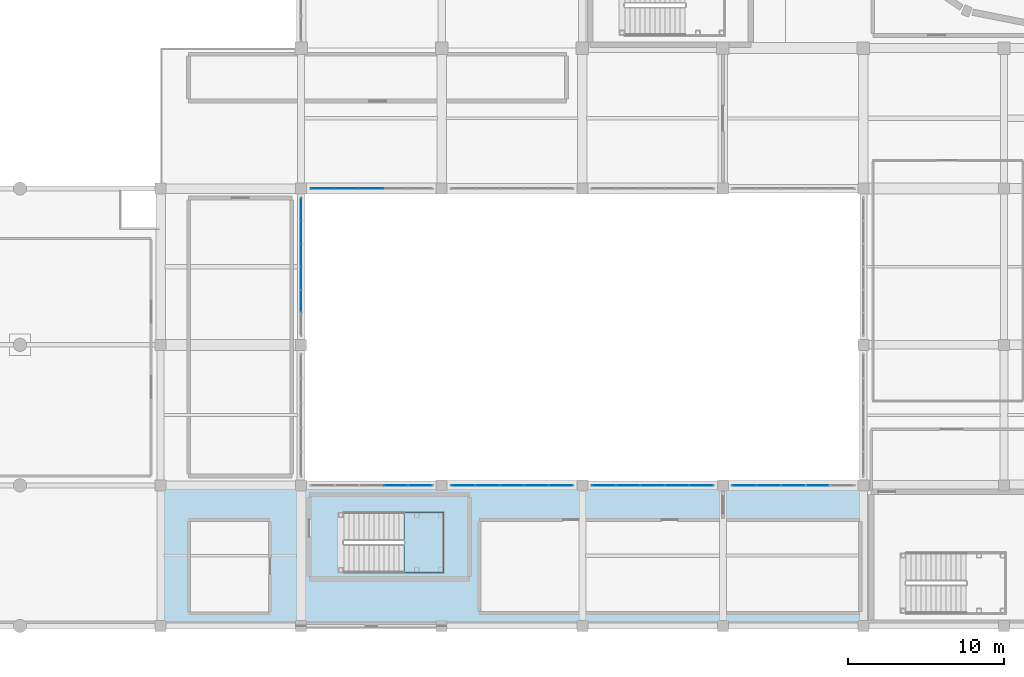
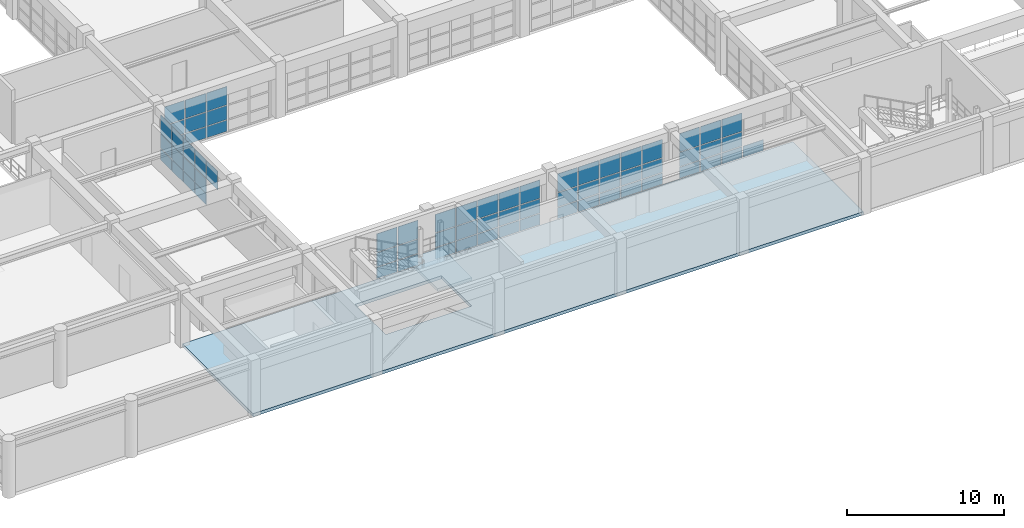
# One storey, part 90 of 133: 68 plates, 2 slabs, 7 elements without a shape of their own.
"""IFC4 building model written with IfcOpenShell, lengths in metres."""

from ifc_helpers import new_model, si_unit, direction, frame, origin, origin_2d, place, context, subcontext, project, spatial, polyline, rectangle, outline, extrude, material, layer, layer_set, type_object, element, aggregate, save


model = new_model("IFC4")

# Units and contexts
model_context = context("Model", 3, precision=1e-05, world=origin(), true_north=direction((0.0, 1.0)))
body_context = subcontext(model_context, "Body", "Model", "MODEL_VIEW")
ifc_project = project(units=[si_unit("LENGTHUNIT", "METRE"), si_unit("AREAUNIT", "SQUARE_METRE"), si_unit("VOLUMEUNIT", "CUBIC_METRE"), si_unit("PLANEANGLEUNIT", "RADIAN"), si_unit("MASSUNIT", "GRAM", prefix="KILO")], contexts=[model_context])

# Site, building, storey
site_placement = place(None, origin())
site = spatial("IfcSite", under=ifc_project, at=site_placement, CompositionType="ELEMENT")
building_placement = place(site_placement, origin())
building = spatial("IfcBuilding", under=site, at=building_placement, Name="Miravela Opera House", CompositionType="ELEMENT")
storey_placement = place(building_placement, frame((0.0, 0.0, 5.10009765625)))
storey = spatial("IfcBuildingStorey", under=building, at=storey_placement, Name="L01", CompositionType="ELEMENT", Elevation=5.10009765625)

# Curtain wall, plates
ifc_material_1 = material(Name="Anodised architectural bronze aluminium 6063-T6", Category="aluminium")
curtain_wall_type = type_object("IfcCurtainWallType", Name="ARC-CW-06", PredefinedType="NOTDEFINED", material=ifc_material_1)
curtain_wall_1_placement = place(storey_placement, origin())
curtain_wall_1 = element("IfcCurtainWall", 1, at=curtain_wall_1_placement, inside=storey, type_object=curtain_wall_type, Name="Courtyard Arcade Curtain Wall CW-L01-124", PredefinedType="NOTDEFINED")
ifc_material_2 = material(Name="Acoustic laminated low-E insulating glass", Category="glass")
ifc_layer_1 = layer(ifc_material_2, 0.028076171875)
ifc_layer_set_1 = layer_set([ifc_layer_1])
plate_type = type_object("IfcPlateType", Name="ARC-CWP-28", PredefinedType="CURTAIN_PANEL", material=ifc_layer_set_1)
plate_1_placement = place(storey_placement, frame((28.37890625, 28.0, 0.06005859375), z_axis=(0.0, 0.0, 1.0), x_axis=(1.0, 0.0, 0.0)))
plate_1 = element("IfcPlate", 2, at=plate_1_placement, type_object=plate_type, Name="CW-06 panel 1.1", PredefinedType="CURTAIN_PANEL", context=body_context, shape_type="SweptSolid", body=[
    extrude(rectangle(XDim=1.47802734375, YDim=0.028076171875, at=origin_2d()), origin(), (0.0, 0.0, 1.0), 0.860107421875),
])
plate_2_placement = place(storey_placement, frame((28.37890625, 28.0, 0.97998046875), z_axis=(0.0, 0.0, 1.0), x_axis=(1.0, 0.0, 0.0)))
plate_2 = element("IfcPlate", 3, at=plate_2_placement, type_object=plate_type, Name="CW-06 panel 1.2", PredefinedType="CURTAIN_PANEL", context=body_context, shape_type="SweptSolid", body=[
    extrude(rectangle(XDim=1.47802734375, YDim=0.028076171875, at=origin_2d()), origin(), (0.0, 0.0, 1.0), 1.083740234375),
])
plate_3_placement = place(storey_placement, frame((28.37890625, 28.0, 2.123779296875), z_axis=(0.0, 0.0, 1.0), x_axis=(1.0, 0.0, 0.0)))
plate_3 = element("IfcPlate", 4, at=plate_3_placement, type_object=plate_type, Name="CW-06 panel 1.3", PredefinedType="CURTAIN_PANEL", context=body_context, shape_type="SweptSolid", body=[
    extrude(rectangle(XDim=1.47802734375, YDim=0.028076171875, at=origin_2d()), origin(), (0.0, 0.0, 1.0), 1.42626953125),
])
plate_4_placement = place(storey_placement, frame((29.931884765625, 28.0, 0.06005859375), z_axis=(0.0, 0.0, 1.0), x_axis=(1.0, 0.0, 0.0)))
plate_4 = element("IfcPlate", 5, at=plate_4_placement, type_object=plate_type, Name="CW-06 panel 2.1", PredefinedType="CURTAIN_PANEL", context=body_context, shape_type="SweptSolid", body=[
    extrude(rectangle(XDim=1.508056640625, YDim=0.028076171875, at=origin_2d()), origin(), (0.0, 0.0, 1.0), 0.860107421875),
])
plate_5_placement = place(storey_placement, frame((29.931884765625, 28.0, 0.97998046875), z_axis=(0.0, 0.0, 1.0), x_axis=(1.0, 0.0, 0.0)))
plate_5 = element("IfcPlate", 6, at=plate_5_placement, type_object=plate_type, Name="CW-06 panel 2.2", PredefinedType="CURTAIN_PANEL", context=body_context, shape_type="SweptSolid", body=[
    extrude(rectangle(XDim=1.508056640625, YDim=0.028076171875, at=origin_2d()), origin(), (0.0, 0.0, 1.0), 1.083740234375),
])
plate_6_placement = place(storey_placement, frame((29.931884765625, 28.0, 2.123779296875), z_axis=(0.0, 0.0, 1.0), x_axis=(1.0, 0.0, 0.0)))
plate_6 = element("IfcPlate", 7, at=plate_6_placement, type_object=plate_type, Name="CW-06 panel 2.3", PredefinedType="CURTAIN_PANEL", context=body_context, shape_type="SweptSolid", body=[
    extrude(rectangle(XDim=1.508056640625, YDim=0.028076171875, at=origin_2d()), origin(), (0.0, 0.0, 1.0), 1.42626953125),
])
plate_7_placement = place(storey_placement, frame((31.5, 28.0, 0.06005859375), z_axis=(0.0, 0.0, 1.0), x_axis=(1.0, 0.0, 0.0)))
plate_7 = element("IfcPlate", 8, at=plate_7_placement, type_object=plate_type, Name="CW-06 panel 3.1", PredefinedType="CURTAIN_PANEL", context=body_context, shape_type="SweptSolid", body=[
    extrude(rectangle(XDim=1.508056640625, YDim=0.028076171875, at=origin_2d()), origin(), (0.0, 0.0, 1.0), 0.860107421875),
])
plate_8_placement = place(storey_placement, frame((31.5, 28.0, 0.97998046875), z_axis=(0.0, 0.0, 1.0), x_axis=(1.0, 0.0, 0.0)))
plate_8 = element("IfcPlate", 9, at=plate_8_placement, type_object=plate_type, Name="CW-06 panel 3.2", PredefinedType="CURTAIN_PANEL", context=body_context, shape_type="SweptSolid", body=[
    extrude(rectangle(XDim=1.508056640625, YDim=0.028076171875, at=origin_2d()), origin(), (0.0, 0.0, 1.0), 1.083740234375),
])
plate_9_placement = place(storey_placement, frame((31.5, 28.0, 2.123779296875), z_axis=(0.0, 0.0, 1.0), x_axis=(1.0, 0.0, 0.0)))
plate_9 = element("IfcPlate", 10, at=plate_9_placement, type_object=plate_type, Name="CW-06 panel 3.3", PredefinedType="CURTAIN_PANEL", context=body_context, shape_type="SweptSolid", body=[
    extrude(rectangle(XDim=1.508056640625, YDim=0.028076171875, at=origin_2d()), origin(), (0.0, 0.0, 1.0), 1.42626953125),
])
aggregate(curtain_wall_1, [plate_1, plate_2, plate_3, plate_4, plate_5, plate_6, plate_7, plate_8, plate_9])

curtain_wall_2_placement = place(storey_placement, origin())
curtain_wall_2 = element("IfcCurtainWall", 11, at=curtain_wall_2_placement, inside=storey, type_object=curtain_wall_type, Name="Courtyard Arcade Curtain Wall CW-L01-125", PredefinedType="NOTDEFINED")
plate_10_placement = place(storey_placement, frame((33.068115234375, 9.0, 0.06005859375), z_axis=(0.0, 0.0, 1.0), x_axis=(1.0, 0.0, 0.0)))
plate_10 = element("IfcPlate", 12, at=plate_10_placement, type_object=plate_type, Name="CW-06 panel 4.1", PredefinedType="CURTAIN_PANEL", context=body_context, shape_type="SweptSolid", body=[
    extrude(rectangle(XDim=1.508056640625, YDim=0.028076171875, at=origin_2d()), origin(), (0.0, 0.0, 1.0), 0.860107421875),
])
plate_11_placement = place(storey_placement, frame((33.068115234375, 9.0, 0.97998046875), z_axis=(0.0, 0.0, 1.0), x_axis=(1.0, 0.0, 0.0)))
plate_11 = element("IfcPlate", 13, at=plate_11_placement, type_object=plate_type, Name="CW-06 panel 4.2", PredefinedType="CURTAIN_PANEL", context=body_context, shape_type="SweptSolid", body=[
    extrude(rectangle(XDim=1.508056640625, YDim=0.028076171875, at=origin_2d()), origin(), (0.0, 0.0, 1.0), 1.083740234375),
])
plate_12_placement = place(storey_placement, frame((33.068115234375, 9.0, 2.123779296875), z_axis=(0.0, 0.0, 1.0), x_axis=(1.0, 0.0, 0.0)))
plate_12 = element("IfcPlate", 14, at=plate_12_placement, type_object=plate_type, Name="CW-06 panel 4.3", PredefinedType="CURTAIN_PANEL", context=body_context, shape_type="SweptSolid", body=[
    extrude(rectangle(XDim=1.508056640625, YDim=0.028076171875, at=origin_2d()), origin(), (0.0, 0.0, 1.0), 1.42626953125),
])
plate_13_placement = place(storey_placement, frame((34.62109375, 9.0, 0.06005859375), z_axis=(0.0, 0.0, 1.0), x_axis=(1.0, 0.0, 0.0)))
plate_13 = element("IfcPlate", 15, at=plate_13_placement, type_object=plate_type, Name="CW-06 panel 5.1", PredefinedType="CURTAIN_PANEL", context=body_context, shape_type="SweptSolid", body=[
    extrude(rectangle(XDim=1.47802734375, YDim=0.028076171875, at=origin_2d()), origin(), (0.0, 0.0, 1.0), 0.860107421875),
])
plate_14_placement = place(storey_placement, frame((34.62109375, 9.0, 0.97998046875), z_axis=(0.0, 0.0, 1.0), x_axis=(1.0, 0.0, 0.0)))
plate_14 = element("IfcPlate", 16, at=plate_14_placement, type_object=plate_type, Name="CW-06 panel 5.2", PredefinedType="CURTAIN_PANEL", context=body_context, shape_type="SweptSolid", body=[
    extrude(rectangle(XDim=1.47802734375, YDim=0.028076171875, at=origin_2d()), origin(), (0.0, 0.0, 1.0), 1.083740234375),
])
plate_15_placement = place(storey_placement, frame((34.62109375, 9.0, 2.123779296875), z_axis=(0.0, 0.0, 1.0), x_axis=(1.0, 0.0, 0.0)))
plate_15 = element("IfcPlate", 17, at=plate_15_placement, type_object=plate_type, Name="CW-06 panel 5.3", PredefinedType="CURTAIN_PANEL", context=body_context, shape_type="SweptSolid", body=[
    extrude(rectangle(XDim=1.47802734375, YDim=0.028076171875, at=origin_2d()), origin(), (0.0, 0.0, 1.0), 1.42626953125),
])
aggregate(curtain_wall_2, [plate_10, plate_11, plate_12, plate_13, plate_14, plate_15])

curtain_wall_3_placement = place(storey_placement, origin())
curtain_wall_3 = element("IfcCurtainWall", 18, at=curtain_wall_3_placement, inside=storey, type_object=curtain_wall_type, Name="Courtyard Arcade Curtain Wall CW-L01-127", PredefinedType="NOTDEFINED")
plate_16_placement = place(storey_placement, frame((37.37890625, 9.0, 0.06005859375), z_axis=(0.0, 0.0, 1.0), x_axis=(1.0, 0.0, 0.0)))
plate_16 = element("IfcPlate", 19, at=plate_16_placement, type_object=plate_type, Name="CW-06 panel 1.1", PredefinedType="CURTAIN_PANEL", context=body_context, shape_type="SweptSolid", body=[
    extrude(rectangle(XDim=1.47802734375, YDim=0.028076171875, at=origin_2d()), origin(), (0.0, 0.0, 1.0), 0.860107421875),
])
plate_17_placement = place(storey_placement, frame((37.37890625, 9.0, 0.97998046875), z_axis=(0.0, 0.0, 1.0), x_axis=(1.0, 0.0, 0.0)))
plate_17 = element("IfcPlate", 20, at=plate_17_placement, type_object=plate_type, Name="CW-06 panel 1.2", PredefinedType="CURTAIN_PANEL", context=body_context, shape_type="SweptSolid", body=[
    extrude(rectangle(XDim=1.47802734375, YDim=0.028076171875, at=origin_2d()), origin(), (0.0, 0.0, 1.0), 1.083740234375),
])
plate_18_placement = place(storey_placement, frame((37.37890625, 9.0, 2.123779296875), z_axis=(0.0, 0.0, 1.0), x_axis=(1.0, 0.0, 0.0)))
plate_18 = element("IfcPlate", 21, at=plate_18_placement, type_object=plate_type, Name="CW-06 panel 1.3", PredefinedType="CURTAIN_PANEL", context=body_context, shape_type="SweptSolid", body=[
    extrude(rectangle(XDim=1.47802734375, YDim=0.028076171875, at=origin_2d()), origin(), (0.0, 0.0, 1.0), 1.42626953125),
])
plate_19_placement = place(storey_placement, frame((38.931884765625, 9.0, 0.06005859375), z_axis=(0.0, 0.0, 1.0), x_axis=(1.0, 0.0, 0.0)))
plate_19 = element("IfcPlate", 22, at=plate_19_placement, type_object=plate_type, Name="CW-06 panel 2.1", PredefinedType="CURTAIN_PANEL", context=body_context, shape_type="SweptSolid", body=[
    extrude(rectangle(XDim=1.508056640625, YDim=0.028076171875, at=origin_2d()), origin(), (0.0, 0.0, 1.0), 0.860107421875),
])
plate_20_placement = place(storey_placement, frame((38.931884765625, 9.0, 0.97998046875), z_axis=(0.0, 0.0, 1.0), x_axis=(1.0, 0.0, 0.0)))
plate_20 = element("IfcPlate", 23, at=plate_20_placement, type_object=plate_type, Name="CW-06 panel 2.2", PredefinedType="CURTAIN_PANEL", context=body_context, shape_type="SweptSolid", body=[
    extrude(rectangle(XDim=1.508056640625, YDim=0.028076171875, at=origin_2d()), origin(), (0.0, 0.0, 1.0), 1.083740234375),
])
plate_21_placement = place(storey_placement, frame((38.931884765625, 9.0, 2.123779296875), z_axis=(0.0, 0.0, 1.0), x_axis=(1.0, 0.0, 0.0)))
plate_21 = element("IfcPlate", 24, at=plate_21_placement, type_object=plate_type, Name="CW-06 panel 2.3", PredefinedType="CURTAIN_PANEL", context=body_context, shape_type="SweptSolid", body=[
    extrude(rectangle(XDim=1.508056640625, YDim=0.028076171875, at=origin_2d()), origin(), (0.0, 0.0, 1.0), 1.42626953125),
])
plate_22_placement = place(storey_placement, frame((40.5, 9.0, 0.06005859375), z_axis=(0.0, 0.0, 1.0), x_axis=(1.0, 0.0, 0.0)))
plate_22 = element("IfcPlate", 25, at=plate_22_placement, type_object=plate_type, Name="CW-06 panel 3.1", PredefinedType="CURTAIN_PANEL", context=body_context, shape_type="SweptSolid", body=[
    extrude(rectangle(XDim=1.508056640625, YDim=0.028076171875, at=origin_2d()), origin(), (0.0, 0.0, 1.0), 0.860107421875),
])
plate_23_placement = place(storey_placement, frame((40.5, 9.0, 0.97998046875), z_axis=(0.0, 0.0, 1.0), x_axis=(1.0, 0.0, 0.0)))
plate_23 = element("IfcPlate", 26, at=plate_23_placement, type_object=plate_type, Name="CW-06 panel 3.2", PredefinedType="CURTAIN_PANEL", context=body_context, shape_type="SweptSolid", body=[
    extrude(rectangle(XDim=1.508056640625, YDim=0.028076171875, at=origin_2d()), origin(), (0.0, 0.0, 1.0), 1.083740234375),
])
plate_24_placement = place(storey_placement, frame((40.5, 9.0, 2.123779296875), z_axis=(0.0, 0.0, 1.0), x_axis=(1.0, 0.0, 0.0)))
plate_24 = element("IfcPlate", 27, at=plate_24_placement, type_object=plate_type, Name="CW-06 panel 3.3", PredefinedType="CURTAIN_PANEL", context=body_context, shape_type="SweptSolid", body=[
    extrude(rectangle(XDim=1.508056640625, YDim=0.028076171875, at=origin_2d()), origin(), (0.0, 0.0, 1.0), 1.42626953125),
])
plate_25_placement = place(storey_placement, frame((42.068115234375, 9.0, 0.06005859375), z_axis=(0.0, 0.0, 1.0), x_axis=(1.0, 0.0, 0.0)))
plate_25 = element("IfcPlate", 28, at=plate_25_placement, type_object=plate_type, Name="CW-06 panel 4.1", PredefinedType="CURTAIN_PANEL", context=body_context, shape_type="SweptSolid", body=[
    extrude(rectangle(XDim=1.508056640625, YDim=0.028076171875, at=origin_2d()), origin(), (0.0, 0.0, 1.0), 0.860107421875),
])
plate_26_placement = place(storey_placement, frame((42.068115234375, 9.0, 0.97998046875), z_axis=(0.0, 0.0, 1.0), x_axis=(1.0, 0.0, 0.0)))
plate_26 = element("IfcPlate", 29, at=plate_26_placement, type_object=plate_type, Name="CW-06 panel 4.2", PredefinedType="CURTAIN_PANEL", context=body_context, shape_type="SweptSolid", body=[
    extrude(rectangle(XDim=1.508056640625, YDim=0.028076171875, at=origin_2d()), origin(), (0.0, 0.0, 1.0), 1.083740234375),
])
plate_27_placement = place(storey_placement, frame((42.068115234375, 9.0, 2.123779296875), z_axis=(0.0, 0.0, 1.0), x_axis=(1.0, 0.0, 0.0)))
plate_27 = element("IfcPlate", 30, at=plate_27_placement, type_object=plate_type, Name="CW-06 panel 4.3", PredefinedType="CURTAIN_PANEL", context=body_context, shape_type="SweptSolid", body=[
    extrude(rectangle(XDim=1.508056640625, YDim=0.028076171875, at=origin_2d()), origin(), (0.0, 0.0, 1.0), 1.42626953125),
])
plate_28_placement = place(storey_placement, frame((43.62109375, 9.0, 0.06005859375), z_axis=(0.0, 0.0, 1.0), x_axis=(1.0, 0.0, 0.0)))
plate_28 = element("IfcPlate", 31, at=plate_28_placement, type_object=plate_type, Name="CW-06 panel 5.1", PredefinedType="CURTAIN_PANEL", context=body_context, shape_type="SweptSolid", body=[
    extrude(rectangle(XDim=1.47802734375, YDim=0.028076171875, at=origin_2d()), origin(), (0.0, 0.0, 1.0), 0.860107421875),
])
plate_29_placement = place(storey_placement, frame((43.62109375, 9.0, 0.97998046875), z_axis=(0.0, 0.0, 1.0), x_axis=(1.0, 0.0, 0.0)))
plate_29 = element("IfcPlate", 32, at=plate_29_placement, type_object=plate_type, Name="CW-06 panel 5.2", PredefinedType="CURTAIN_PANEL", context=body_context, shape_type="SweptSolid", body=[
    extrude(rectangle(XDim=1.47802734375, YDim=0.028076171875, at=origin_2d()), origin(), (0.0, 0.0, 1.0), 1.083740234375),
])
plate_30_placement = place(storey_placement, frame((43.62109375, 9.0, 2.123779296875), z_axis=(0.0, 0.0, 1.0), x_axis=(1.0, 0.0, 0.0)))
plate_30 = element("IfcPlate", 33, at=plate_30_placement, type_object=plate_type, Name="CW-06 panel 5.3", PredefinedType="CURTAIN_PANEL", context=body_context, shape_type="SweptSolid", body=[
    extrude(rectangle(XDim=1.47802734375, YDim=0.028076171875, at=origin_2d()), origin(), (0.0, 0.0, 1.0), 1.42626953125),
])
aggregate(curtain_wall_3, [plate_16, plate_17, plate_18, plate_19, plate_20, plate_21, plate_22, plate_23, plate_24, plate_25, plate_26, plate_27, plate_28, plate_29, plate_30])

curtain_wall_4_placement = place(storey_placement, origin())
curtain_wall_4 = element("IfcCurtainWall", 34, at=curtain_wall_4_placement, inside=storey, type_object=curtain_wall_type, Name="Courtyard Arcade Curtain Wall CW-L01-129", PredefinedType="NOTDEFINED")
plate_31_placement = place(storey_placement, frame((46.37890625, 9.0, 0.06005859375), z_axis=(0.0, 0.0, 1.0), x_axis=(1.0, 0.0, 0.0)))
plate_31 = element("IfcPlate", 35, at=plate_31_placement, type_object=plate_type, Name="CW-06 panel 1.1", PredefinedType="CURTAIN_PANEL", context=body_context, shape_type="SweptSolid", body=[
    extrude(rectangle(XDim=1.47802734375, YDim=0.028076171875, at=origin_2d()), origin(), (0.0, 0.0, 1.0), 0.860107421875),
])
plate_32_placement = place(storey_placement, frame((46.37890625, 9.0, 0.97998046875), z_axis=(0.0, 0.0, 1.0), x_axis=(1.0, 0.0, 0.0)))
plate_32 = element("IfcPlate", 36, at=plate_32_placement, type_object=plate_type, Name="CW-06 panel 1.2", PredefinedType="CURTAIN_PANEL", context=body_context, shape_type="SweptSolid", body=[
    extrude(rectangle(XDim=1.47802734375, YDim=0.028076171875, at=origin_2d()), origin(), (0.0, 0.0, 1.0), 1.083740234375),
])
plate_33_placement = place(storey_placement, frame((46.37890625, 9.0, 2.123779296875), z_axis=(0.0, 0.0, 1.0), x_axis=(1.0, 0.0, 0.0)))
plate_33 = element("IfcPlate", 37, at=plate_33_placement, type_object=plate_type, Name="CW-06 panel 1.3", PredefinedType="CURTAIN_PANEL", context=body_context, shape_type="SweptSolid", body=[
    extrude(rectangle(XDim=1.47802734375, YDim=0.028076171875, at=origin_2d()), origin(), (0.0, 0.0, 1.0), 1.42626953125),
])
plate_34_placement = place(storey_placement, frame((47.931884765625, 9.0, 0.06005859375), z_axis=(0.0, 0.0, 1.0), x_axis=(1.0, 0.0, 0.0)))
plate_34 = element("IfcPlate", 38, at=plate_34_placement, type_object=plate_type, Name="CW-06 panel 2.1", PredefinedType="CURTAIN_PANEL", context=body_context, shape_type="SweptSolid", body=[
    extrude(rectangle(XDim=1.508056640625, YDim=0.028076171875, at=origin_2d()), origin(), (0.0, 0.0, 1.0), 0.860107421875),
])
plate_35_placement = place(storey_placement, frame((47.931884765625, 9.0, 0.97998046875), z_axis=(0.0, 0.0, 1.0), x_axis=(1.0, 0.0, 0.0)))
plate_35 = element("IfcPlate", 39, at=plate_35_placement, type_object=plate_type, Name="CW-06 panel 2.2", PredefinedType="CURTAIN_PANEL", context=body_context, shape_type="SweptSolid", body=[
    extrude(rectangle(XDim=1.508056640625, YDim=0.028076171875, at=origin_2d()), origin(), (0.0, 0.0, 1.0), 1.083740234375),
])
plate_36_placement = place(storey_placement, frame((47.931884765625, 9.0, 2.123779296875), z_axis=(0.0, 0.0, 1.0), x_axis=(1.0, 0.0, 0.0)))
plate_36 = element("IfcPlate", 40, at=plate_36_placement, type_object=plate_type, Name="CW-06 panel 2.3", PredefinedType="CURTAIN_PANEL", context=body_context, shape_type="SweptSolid", body=[
    extrude(rectangle(XDim=1.508056640625, YDim=0.028076171875, at=origin_2d()), origin(), (0.0, 0.0, 1.0), 1.42626953125),
])
plate_37_placement = place(storey_placement, frame((49.5, 9.0, 0.06005859375), z_axis=(0.0, 0.0, 1.0), x_axis=(1.0, 0.0, 0.0)))
plate_37 = element("IfcPlate", 41, at=plate_37_placement, type_object=plate_type, Name="CW-06 panel 3.1", PredefinedType="CURTAIN_PANEL", context=body_context, shape_type="SweptSolid", body=[
    extrude(rectangle(XDim=1.508056640625, YDim=0.028076171875, at=origin_2d()), origin(), (0.0, 0.0, 1.0), 0.860107421875),
])
plate_38_placement = place(storey_placement, frame((49.5, 9.0, 0.97998046875), z_axis=(0.0, 0.0, 1.0), x_axis=(1.0, 0.0, 0.0)))
plate_38 = element("IfcPlate", 42, at=plate_38_placement, type_object=plate_type, Name="CW-06 panel 3.2", PredefinedType="CURTAIN_PANEL", context=body_context, shape_type="SweptSolid", body=[
    extrude(rectangle(XDim=1.508056640625, YDim=0.028076171875, at=origin_2d()), origin(), (0.0, 0.0, 1.0), 1.083740234375),
])
plate_39_placement = place(storey_placement, frame((49.5, 9.0, 2.123779296875), z_axis=(0.0, 0.0, 1.0), x_axis=(1.0, 0.0, 0.0)))
plate_39 = element("IfcPlate", 43, at=plate_39_placement, type_object=plate_type, Name="CW-06 panel 3.3", PredefinedType="CURTAIN_PANEL", context=body_context, shape_type="SweptSolid", body=[
    extrude(rectangle(XDim=1.508056640625, YDim=0.028076171875, at=origin_2d()), origin(), (0.0, 0.0, 1.0), 1.42626953125),
])
plate_40_placement = place(storey_placement, frame((51.068115234375, 9.0, 0.06005859375), z_axis=(0.0, 0.0, 1.0), x_axis=(1.0, 0.0, 0.0)))
plate_40 = element("IfcPlate", 44, at=plate_40_placement, type_object=plate_type, Name="CW-06 panel 4.1", PredefinedType="CURTAIN_PANEL", context=body_context, shape_type="SweptSolid", body=[
    extrude(rectangle(XDim=1.508056640625, YDim=0.028076171875, at=origin_2d()), origin(), (0.0, 0.0, 1.0), 0.860107421875),
])
plate_41_placement = place(storey_placement, frame((51.068115234375, 9.0, 0.97998046875), z_axis=(0.0, 0.0, 1.0), x_axis=(1.0, 0.0, 0.0)))
plate_41 = element("IfcPlate", 45, at=plate_41_placement, type_object=plate_type, Name="CW-06 panel 4.2", PredefinedType="CURTAIN_PANEL", context=body_context, shape_type="SweptSolid", body=[
    extrude(rectangle(XDim=1.508056640625, YDim=0.028076171875, at=origin_2d()), origin(), (0.0, 0.0, 1.0), 1.083740234375),
])
plate_42_placement = place(storey_placement, frame((51.068115234375, 9.0, 2.123779296875), z_axis=(0.0, 0.0, 1.0), x_axis=(1.0, 0.0, 0.0)))
plate_42 = element("IfcPlate", 46, at=plate_42_placement, type_object=plate_type, Name="CW-06 panel 4.3", PredefinedType="CURTAIN_PANEL", context=body_context, shape_type="SweptSolid", body=[
    extrude(rectangle(XDim=1.508056640625, YDim=0.028076171875, at=origin_2d()), origin(), (0.0, 0.0, 1.0), 1.42626953125),
])
plate_43_placement = place(storey_placement, frame((52.62109375, 9.0, 0.06005859375), z_axis=(0.0, 0.0, 1.0), x_axis=(1.0, 0.0, 0.0)))
plate_43 = element("IfcPlate", 47, at=plate_43_placement, type_object=plate_type, Name="CW-06 panel 5.1", PredefinedType="CURTAIN_PANEL", context=body_context, shape_type="SweptSolid", body=[
    extrude(rectangle(XDim=1.47802734375, YDim=0.028076171875, at=origin_2d()), origin(), (0.0, 0.0, 1.0), 0.860107421875),
])
plate_44_placement = place(storey_placement, frame((52.62109375, 9.0, 0.97998046875), z_axis=(0.0, 0.0, 1.0), x_axis=(1.0, 0.0, 0.0)))
plate_44 = element("IfcPlate", 48, at=plate_44_placement, type_object=plate_type, Name="CW-06 panel 5.2", PredefinedType="CURTAIN_PANEL", context=body_context, shape_type="SweptSolid", body=[
    extrude(rectangle(XDim=1.47802734375, YDim=0.028076171875, at=origin_2d()), origin(), (0.0, 0.0, 1.0), 1.083740234375),
])
plate_45_placement = place(storey_placement, frame((52.62109375, 9.0, 2.123779296875), z_axis=(0.0, 0.0, 1.0), x_axis=(1.0, 0.0, 0.0)))
plate_45 = element("IfcPlate", 49, at=plate_45_placement, type_object=plate_type, Name="CW-06 panel 5.3", PredefinedType="CURTAIN_PANEL", context=body_context, shape_type="SweptSolid", body=[
    extrude(rectangle(XDim=1.47802734375, YDim=0.028076171875, at=origin_2d()), origin(), (0.0, 0.0, 1.0), 1.42626953125),
])
aggregate(curtain_wall_4, [plate_31, plate_32, plate_33, plate_34, plate_35, plate_36, plate_37, plate_38, plate_39, plate_40, plate_41, plate_42, plate_43, plate_44, plate_45])

curtain_wall_5_placement = place(storey_placement, origin())
curtain_wall_5 = element("IfcCurtainWall", 50, at=curtain_wall_5_placement, inside=storey, type_object=curtain_wall_type, Name="Courtyard Arcade Curtain Wall CW-L01-131", PredefinedType="NOTDEFINED")
plate_46_placement = place(storey_placement, frame((55.37890625, 9.0, 0.06005859375), z_axis=(0.0, 0.0, 1.0), x_axis=(1.0, 0.0, 0.0)))
plate_46 = element("IfcPlate", 51, at=plate_46_placement, type_object=plate_type, Name="CW-06 panel 1.1", PredefinedType="CURTAIN_PANEL", context=body_context, shape_type="SweptSolid", body=[
    extrude(rectangle(XDim=1.47802734375, YDim=0.028076171875, at=origin_2d()), origin(), (0.0, 0.0, 1.0), 0.860107421875),
])
plate_47_placement = place(storey_placement, frame((55.37890625, 9.0, 0.97998046875), z_axis=(0.0, 0.0, 1.0), x_axis=(1.0, 0.0, 0.0)))
plate_47 = element("IfcPlate", 52, at=plate_47_placement, type_object=plate_type, Name="CW-06 panel 1.2", PredefinedType="CURTAIN_PANEL", context=body_context, shape_type="SweptSolid", body=[
    extrude(rectangle(XDim=1.47802734375, YDim=0.028076171875, at=origin_2d()), origin(), (0.0, 0.0, 1.0), 1.083740234375),
])
plate_48_placement = place(storey_placement, frame((55.37890625, 9.0, 2.123779296875), z_axis=(0.0, 0.0, 1.0), x_axis=(1.0, 0.0, 0.0)))
plate_48 = element("IfcPlate", 53, at=plate_48_placement, type_object=plate_type, Name="CW-06 panel 1.3", PredefinedType="CURTAIN_PANEL", context=body_context, shape_type="SweptSolid", body=[
    extrude(rectangle(XDim=1.47802734375, YDim=0.028076171875, at=origin_2d()), origin(), (0.0, 0.0, 1.0), 1.42626953125),
])
plate_49_placement = place(storey_placement, frame((56.931884765625, 9.0, 0.06005859375), z_axis=(0.0, 0.0, 1.0), x_axis=(1.0, 0.0, 0.0)))
plate_49 = element("IfcPlate", 54, at=plate_49_placement, type_object=plate_type, Name="CW-06 panel 2.1", PredefinedType="CURTAIN_PANEL", context=body_context, shape_type="SweptSolid", body=[
    extrude(rectangle(XDim=1.508056640625, YDim=0.028076171875, at=origin_2d()), origin(), (0.0, 0.0, 1.0), 0.860107421875),
])
plate_50_placement = place(storey_placement, frame((56.931884765625, 9.0, 0.97998046875), z_axis=(0.0, 0.0, 1.0), x_axis=(1.0, 0.0, 0.0)))
plate_50 = element("IfcPlate", 55, at=plate_50_placement, type_object=plate_type, Name="CW-06 panel 2.2", PredefinedType="CURTAIN_PANEL", context=body_context, shape_type="SweptSolid", body=[
    extrude(rectangle(XDim=1.508056640625, YDim=0.028076171875, at=origin_2d()), origin(), (0.0, 0.0, 1.0), 1.083740234375),
])
plate_51_placement = place(storey_placement, frame((56.931884765625, 9.0, 2.123779296875), z_axis=(0.0, 0.0, 1.0), x_axis=(1.0, 0.0, 0.0)))
plate_51 = element("IfcPlate", 56, at=plate_51_placement, type_object=plate_type, Name="CW-06 panel 2.3", PredefinedType="CURTAIN_PANEL", context=body_context, shape_type="SweptSolid", body=[
    extrude(rectangle(XDim=1.508056640625, YDim=0.028076171875, at=origin_2d()), origin(), (0.0, 0.0, 1.0), 1.42626953125),
])
plate_52_placement = place(storey_placement, frame((58.5, 9.0, 0.06005859375), z_axis=(0.0, 0.0, 1.0), x_axis=(1.0, 0.0, 0.0)))
plate_52 = element("IfcPlate", 57, at=plate_52_placement, type_object=plate_type, Name="CW-06 panel 3.1", PredefinedType="CURTAIN_PANEL", context=body_context, shape_type="SweptSolid", body=[
    extrude(rectangle(XDim=1.508056640625, YDim=0.028076171875, at=origin_2d()), origin(), (0.0, 0.0, 1.0), 0.860107421875),
])
plate_53_placement = place(storey_placement, frame((58.5, 9.0, 0.97998046875), z_axis=(0.0, 0.0, 1.0), x_axis=(1.0, 0.0, 0.0)))
plate_53 = element("IfcPlate", 58, at=plate_53_placement, type_object=plate_type, Name="CW-06 panel 3.2", PredefinedType="CURTAIN_PANEL", context=body_context, shape_type="SweptSolid", body=[
    extrude(rectangle(XDim=1.508056640625, YDim=0.028076171875, at=origin_2d()), origin(), (0.0, 0.0, 1.0), 1.083740234375),
])
plate_54_placement = place(storey_placement, frame((58.5, 9.0, 2.123779296875), z_axis=(0.0, 0.0, 1.0), x_axis=(1.0, 0.0, 0.0)))
plate_54 = element("IfcPlate", 59, at=plate_54_placement, type_object=plate_type, Name="CW-06 panel 3.3", PredefinedType="CURTAIN_PANEL", context=body_context, shape_type="SweptSolid", body=[
    extrude(rectangle(XDim=1.508056640625, YDim=0.028076171875, at=origin_2d()), origin(), (0.0, 0.0, 1.0), 1.42626953125),
])
plate_55_placement = place(storey_placement, frame((60.068115234375, 9.0, 0.06005859375), z_axis=(0.0, 0.0, 1.0), x_axis=(1.0, 0.0, 0.0)))
plate_55 = element("IfcPlate", 60, at=plate_55_placement, type_object=plate_type, Name="CW-06 panel 4.1", PredefinedType="CURTAIN_PANEL", context=body_context, shape_type="SweptSolid", body=[
    extrude(rectangle(XDim=1.508056640625, YDim=0.028076171875, at=origin_2d()), origin(), (0.0, 0.0, 1.0), 0.860107421875),
])
aggregate(curtain_wall_5, [plate_46, plate_47, plate_48, plate_49, plate_50, plate_51, plate_52, plate_53, plate_54, plate_55])

curtain_wall_6_placement = place(storey_placement, origin())
curtain_wall_6 = element("IfcCurtainWall", 61, at=curtain_wall_6_placement, inside=storey, type_object=curtain_wall_type, Name="Courtyard Arcade Curtain Wall CW-L01-133", PredefinedType="NOTDEFINED")
plate_56_placement = place(storey_placement, frame((27.0, 20.7900390625, 2.123779296875), z_axis=(0.0, 0.0, 1.0), x_axis=(0.0, 1.0, 0.0)))
plate_56 = element("IfcPlate", 62, at=plate_56_placement, type_object=plate_type, Name="CW-06 panel 2.3", PredefinedType="CURTAIN_PANEL", context=body_context, shape_type="SweptSolid", body=[
    extrude(rectangle(XDim=1.413330078125, YDim=0.028076171875, at=origin_2d()), origin(), (0.0, 0.0, 1.0), 1.42626953125),
])
plate_57_placement = place(storey_placement, frame((27.0, 22.263427734375, 0.06005859375), z_axis=(0.0, 0.0, 1.0), x_axis=(0.0, 1.0, 0.0)))
plate_57 = element("IfcPlate", 63, at=plate_57_placement, type_object=plate_type, Name="CW-06 panel 3.1", PredefinedType="CURTAIN_PANEL", context=body_context, shape_type="SweptSolid", body=[
    extrude(rectangle(XDim=1.413330078125, YDim=0.028076171875, at=origin_2d()), origin(), (0.0, 0.0, 1.0), 0.860107421875),
])
plate_58_placement = place(storey_placement, frame((27.0, 22.263427734375, 0.97998046875), z_axis=(0.0, 0.0, 1.0), x_axis=(0.0, 1.0, 0.0)))
plate_58 = element("IfcPlate", 64, at=plate_58_placement, type_object=plate_type, Name="CW-06 panel 3.2", PredefinedType="CURTAIN_PANEL", context=body_context, shape_type="SweptSolid", body=[
    extrude(rectangle(XDim=1.413330078125, YDim=0.028076171875, at=origin_2d()), origin(), (0.0, 0.0, 1.0), 1.083740234375),
])
plate_59_placement = place(storey_placement, frame((27.0, 22.263427734375, 2.123779296875), z_axis=(0.0, 0.0, 1.0), x_axis=(0.0, 1.0, 0.0)))
plate_59 = element("IfcPlate", 65, at=plate_59_placement, type_object=plate_type, Name="CW-06 panel 3.3", PredefinedType="CURTAIN_PANEL", context=body_context, shape_type="SweptSolid", body=[
    extrude(rectangle(XDim=1.413330078125, YDim=0.028076171875, at=origin_2d()), origin(), (0.0, 0.0, 1.0), 1.42626953125),
])
plate_60_placement = place(storey_placement, frame((27.0, 23.736572265625, 0.06005859375), z_axis=(0.0, 0.0, 1.0), x_axis=(0.0, 1.0, 0.0)))
plate_60 = element("IfcPlate", 66, at=plate_60_placement, type_object=plate_type, Name="CW-06 panel 4.1", PredefinedType="CURTAIN_PANEL", context=body_context, shape_type="SweptSolid", body=[
    extrude(rectangle(XDim=1.413330078125, YDim=0.028076171875, at=origin_2d()), origin(), (0.0, 0.0, 1.0), 0.860107421875),
])
plate_61_placement = place(storey_placement, frame((27.0, 23.736572265625, 0.97998046875), z_axis=(0.0, 0.0, 1.0), x_axis=(0.0, 1.0, 0.0)))
plate_61 = element("IfcPlate", 67, at=plate_61_placement, type_object=plate_type, Name="CW-06 panel 4.2", PredefinedType="CURTAIN_PANEL", context=body_context, shape_type="SweptSolid", body=[
    extrude(rectangle(XDim=1.413330078125, YDim=0.028076171875, at=origin_2d()), origin(), (0.0, 0.0, 1.0), 1.083740234375),
])
plate_62_placement = place(storey_placement, frame((27.0, 23.736572265625, 2.123779296875), z_axis=(0.0, 0.0, 1.0), x_axis=(0.0, 1.0, 0.0)))
plate_62 = element("IfcPlate", 68, at=plate_62_placement, type_object=plate_type, Name="CW-06 panel 4.3", PredefinedType="CURTAIN_PANEL", context=body_context, shape_type="SweptSolid", body=[
    extrude(rectangle(XDim=1.413330078125, YDim=0.028076171875, at=origin_2d()), origin(), (0.0, 0.0, 1.0), 1.42626953125),
])
plate_63_placement = place(storey_placement, frame((27.0, 25.2099609375, 0.06005859375), z_axis=(0.0, 0.0, 1.0), x_axis=(0.0, 1.0, 0.0)))
plate_63 = element("IfcPlate", 69, at=plate_63_placement, type_object=plate_type, Name="CW-06 panel 5.1", PredefinedType="CURTAIN_PANEL", context=body_context, shape_type="SweptSolid", body=[
    extrude(rectangle(XDim=1.413330078125, YDim=0.028076171875, at=origin_2d()), origin(), (0.0, 0.0, 1.0), 0.860107421875),
])
plate_64_placement = place(storey_placement, frame((27.0, 25.2099609375, 0.97998046875), z_axis=(0.0, 0.0, 1.0), x_axis=(0.0, 1.0, 0.0)))
plate_64 = element("IfcPlate", 70, at=plate_64_placement, type_object=plate_type, Name="CW-06 panel 5.2", PredefinedType="CURTAIN_PANEL", context=body_context, shape_type="SweptSolid", body=[
    extrude(rectangle(XDim=1.413330078125, YDim=0.028076171875, at=origin_2d()), origin(), (0.0, 0.0, 1.0), 1.083740234375),
])
plate_65_placement = place(storey_placement, frame((27.0, 25.2099609375, 2.123779296875), z_axis=(0.0, 0.0, 1.0), x_axis=(0.0, 1.0, 0.0)))
plate_65 = element("IfcPlate", 71, at=plate_65_placement, type_object=plate_type, Name="CW-06 panel 5.3", PredefinedType="CURTAIN_PANEL", context=body_context, shape_type="SweptSolid", body=[
    extrude(rectangle(XDim=1.413330078125, YDim=0.028076171875, at=origin_2d()), origin(), (0.0, 0.0, 1.0), 1.42626953125),
])
plate_66_placement = place(storey_placement, frame((27.0, 26.668212890625, 0.06005859375), z_axis=(0.0, 0.0, 1.0), x_axis=(0.0, 1.0, 0.0)))
plate_66 = element("IfcPlate", 72, at=plate_66_placement, type_object=plate_type, Name="CW-06 panel 6.1", PredefinedType="CURTAIN_PANEL", context=body_context, shape_type="SweptSolid", body=[
    extrude(rectangle(XDim=1.38330078125, YDim=0.028076171875, at=origin_2d()), origin(), (0.0, 0.0, 1.0), 0.860107421875),
])
plate_67_placement = place(storey_placement, frame((27.0, 26.668212890625, 0.97998046875), z_axis=(0.0, 0.0, 1.0), x_axis=(0.0, 1.0, 0.0)))
plate_67 = element("IfcPlate", 73, at=plate_67_placement, type_object=plate_type, Name="CW-06 panel 6.2", PredefinedType="CURTAIN_PANEL", context=body_context, shape_type="SweptSolid", body=[
    extrude(rectangle(XDim=1.38330078125, YDim=0.028076171875, at=origin_2d()), origin(), (0.0, 0.0, 1.0), 1.083740234375),
])
plate_68_placement = place(storey_placement, frame((27.0, 26.668212890625, 2.123779296875), z_axis=(0.0, 0.0, 1.0), x_axis=(0.0, 1.0, 0.0)))
plate_68 = element("IfcPlate", 74, at=plate_68_placement, type_object=plate_type, Name="CW-06 panel 6.3", PredefinedType="CURTAIN_PANEL", context=body_context, shape_type="SweptSolid", body=[
    extrude(rectangle(XDim=1.38330078125, YDim=0.028076171875, at=origin_2d()), origin(), (0.0, 0.0, 1.0), 1.42626953125),
])
aggregate(curtain_wall_6, [plate_56, plate_57, plate_58, plate_59, plate_60, plate_61, plate_62, plate_63, plate_64, plate_65, plate_66, plate_67, plate_68])

# Stair, slab
ifc_material_3 = material(Name="Concrete C35/45", Category="concrete")
stair_type = type_object("IfcStairType", Name="ARC-STAIR-WING-1680", PredefinedType="HALF_TURN_STAIR", material=ifc_material_3)
stair_placement = place(storey_placement, origin())
stair = element("IfcStair", 75, at=stair_placement, inside=storey, type_object=stair_type, Name="L01 South Wing West Exit Stair ST-08", PredefinedType="HALF_TURN_STAIR")
ifc_layer_2 = layer(ifc_material_3, 0.215087890625)
ifc_layer_set_2 = layer_set([ifc_layer_2])
slab_type_1 = type_object("IfcSlabType", Name="ARC-LANDING-215", PredefinedType="LANDING", material=ifc_layer_set_2)
slab_1_placement = place(storey_placement, frame((0.0, 0.0, 1.994873046875)))
slab_1 = element("IfcSlab", 76, at=slab_1_placement, type_object=slab_type_1, Name="ST-08 landing 1", PredefinedType="LANDING", context=body_context, shape_type="SweptSolid", body=[
    extrude(outline(polyline([(33.580078125, 3.39990234375), (36.10009765625, 3.39990234375), (36.10009765625, 7.280029296875), (33.580078125, 7.280029296875), (33.580078125, 3.39990234375)])), origin(), (0.0, 0.0, 1.0), 0.215087890625),
])
aggregate(stair, [slab_1])

# Slab
ifc_layer_3 = layer(ifc_material_3, 0.25)
ifc_layer_set_3 = layer_set([ifc_layer_3])
slab_type_2 = type_object("IfcSlabType", Name="STR-SLAB-FLR-250", PredefinedType="FLOOR", material=ifc_layer_set_3)
slab_2_placement = place(storey_placement, frame((0.0, 0.0, -0.25)))
element("IfcSlab", 77, at=slab_2_placement, inside=storey, type_object=slab_type_2, Name="Level L01 Floor Slab SLAB-L01-V4S", PredefinedType="FLOOR", context=body_context, shape_type="SweptSolid", body=[
    extrude(outline(polyline([(18.0, 0.0), (63.0, 0.0), (63.0, 9.0), (18.0, 9.0), (18.0, 0.0)]), holes=[polyline([(29.739990234375, 3.39990234375), (36.10009765625, 3.39990234375), (36.10009765625, 7.280029296875), (29.739990234375, 7.280029296875), (29.739990234375, 3.39990234375)])]), origin(), (0.0, 0.0, 1.0), 0.25),
])

save(model, "model.ifc")
